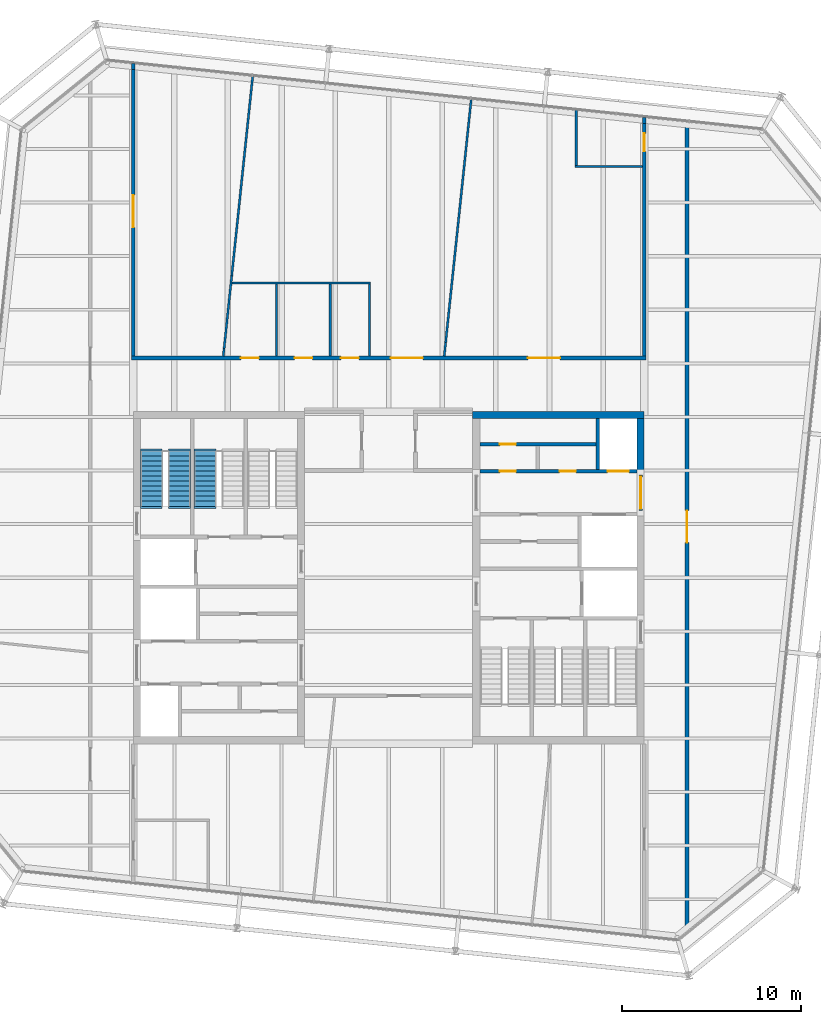
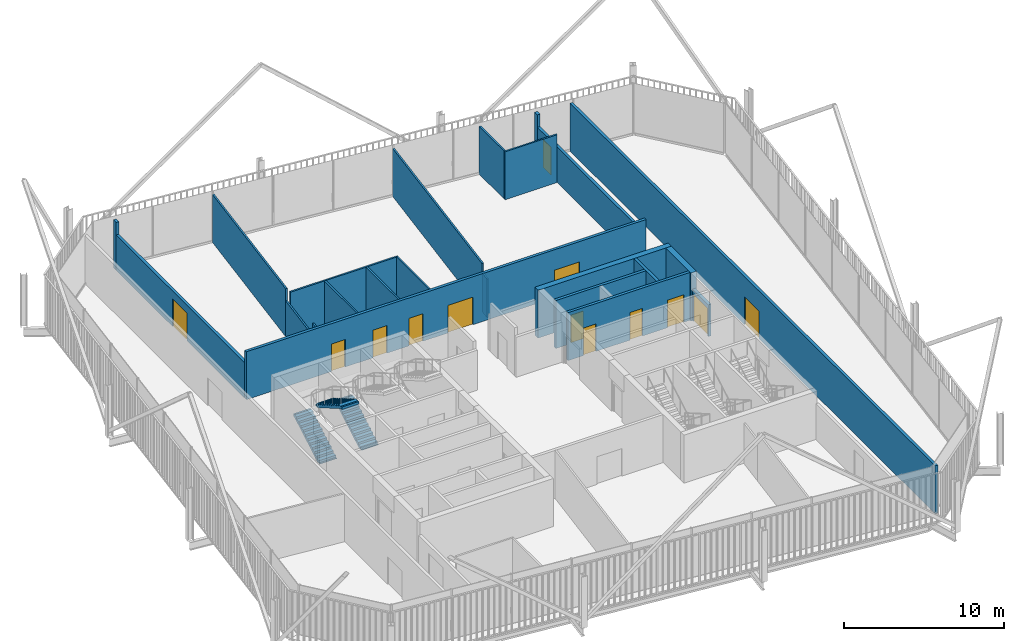
# One storey, part 19 of 21: 23 walls, 13 doors, 3 stair flights, 13 openings, 2 elements without a shape of their own.
"""IFC4 building model written with IfcOpenShell, lengths in metres."""

from ifc_helpers import new_model, si_unit, direction, frame, frame_2d, origin, place, context, subcontext, project, spatial, polyline, rectangle, outline, extrude, material, layer, layer_set, type_object, element, fill, aggregate, save


model = new_model("IFC4")

# Units and contexts
model_context = context("Model", 3, precision=1e-05, world=origin(), true_north=direction((0.0, 1.0)))
body_context = subcontext(model_context, "Body", "Model", "MODEL_VIEW")
ifc_project = project(units=[si_unit("LENGTHUNIT", "METRE"), si_unit("AREAUNIT", "SQUARE_METRE"), si_unit("VOLUMEUNIT", "CUBIC_METRE"), si_unit("PLANEANGLEUNIT", "RADIAN"), si_unit("MASSUNIT", "GRAM", prefix="KILO")], contexts=[model_context])

# Site, building, storey
site_placement = place(None, origin())
site = spatial("IfcSite", under=ifc_project, at=site_placement, CompositionType="ELEMENT")
building_placement = place(site_placement, origin())
building = spatial("IfcBuilding", under=site, at=building_placement, Name="Millrace Tower", CompositionType="ELEMENT")
storey_placement = place(building_placement, frame((0.0, 0.0, 307.199951171875)))
storey = spatial("IfcBuildingStorey", under=building, at=storey_placement, Name="L71", CompositionType="ELEMENT", Elevation=307.199951171875)

# Walls
ifc_material_1 = material(Name="Concrete C60", Category="concrete")
ifc_layer_1 = layer(ifc_material_1, 0.39990234375)
ifc_layer_set_1 = layer_set([ifc_layer_1], Name="Concrete C60")
wall_type_1 = type_object("IfcWallType", Name="Core wall 400 Concrete C60", PredefinedType="SHEAR", material=ifc_layer_set_1)
wall_1_placement = place(storey_placement, frame((14.300048828125, 9.10009765625, 0.0), z_axis=(0.0, 0.0, 1.0), x_axis=(-1.0, 0.0, 0.0)))
element("IfcWall", 1, at=wall_1_placement, inside=storey, type_object=wall_type_1, Name="Core wall E L71", PredefinedType="SHEAR", context=body_context, shape_type="SweptSolid", body=[
    extrude(rectangle(XDim=9.60009765625, YDim=0.39990234375, at=frame_2d((4.800048828125, 0.0))), origin(), (0.0, 0.0, 1.0), 3.650146484375),
])
wall_2_placement = place(storey_placement, frame((14.10009765625, 8.89990234375, 0.0), z_axis=(0.0, 0.0, 1.0), x_axis=(0.0, -1.0, 0.0)))
element("IfcWall", 2, at=wall_2_placement, inside=storey, type_object=wall_type_1, Name="Core wall E L71", PredefinedType="SHEAR", context=body_context, shape_type="SweptSolid", body=[
    extrude(rectangle(XDim=3.14990234375, YDim=0.39990234375, at=frame_2d((1.574951171875, 0.0))), origin(), (0.0, 0.0, 1.0), 3.650146484375),
])

# Wall, openings, doors
ifc_material_2 = material(Name="Masonry partition, fire-rated", Category="masonry")
ifc_layer_2 = layer(ifc_material_2, 0.199951171875)
ifc_layer_set_2 = layer_set([ifc_layer_2], Name="Masonry partition, fire-rated")
wall_type_2 = type_object("IfcWallType", Name="Corridor wall 200", PredefinedType="PARTITIONING", material=ifc_layer_set_2)
wall_3_placement = place(storey_placement, frame((-14.39990234375, 12.300048828125, 0.0), z_axis=(0.0, 0.0, 1.0), x_axis=(1.0, 0.0, 0.0)))
wall_3 = element("IfcWall", 3, at=wall_3_placement, inside=storey, type_object=wall_type_2, Name="Corridor wall L71", PredefinedType="PARTITIONING", context=body_context, shape_type="SweptSolid", body=[
    extrude(rectangle(XDim=28.7998046875, YDim=0.199951171875, at=frame_2d((14.39990234375, 0.0))), origin(), (0.0, 0.0, 1.0), 3.650146484375),
])
opening_1_placement = place(wall_3_placement, frame((14.512939453125, 0.0, 0.0)))
opening_1 = element("IfcOpeningElement", 4, at=opening_1_placement, cuts=wall_3, Name="Opening 71-P006", PredefinedType="OPENING", context=body_context, shape_type="SweptSolid", body=[
    extrude(rectangle(XDim=1.800048828125, YDim=2.10009765625, at=frame_2d((0.89990234375, 1.050048828125))), frame((0.0, 0.10986328125, 0.0), z_axis=(0.0, -1.0, 0.0), x_axis=(1.0, 0.0, 0.0)), (0.0, 0.0, 1.0), 0.219970703125),
])
opening_2_placement = place(wall_3_placement, frame((22.198486328125, 0.0, 0.0)))
opening_2 = element("IfcOpeningElement", 5, at=opening_2_placement, cuts=wall_3, Name="Opening 71-P007", PredefinedType="OPENING", context=body_context, shape_type="SweptSolid", body=[
    extrude(rectangle(XDim=1.800048828125, YDim=2.10009765625, at=frame_2d((0.89990234375, 1.050048828125))), frame((0.0, 0.10986328125, 0.0), z_axis=(0.0, -1.0, 0.0), x_axis=(1.0, 0.0, 0.0)), (0.0, 0.0, 1.0), 0.219970703125),
])
opening_3_placement = place(wall_3_placement, frame((6.12890625, 0.0, 0.0)))
opening_3 = element("IfcOpeningElement", 6, at=opening_3_placement, cuts=wall_3, Name="Opening 71-P014", PredefinedType="OPENING", context=body_context, shape_type="SweptSolid", body=[
    extrude(rectangle(XDim=1.0, YDim=2.10009765625, at=frame_2d((0.5, 1.050048828125))), frame((0.0, 0.10986328125, 0.0), z_axis=(0.0, -1.0, 0.0), x_axis=(1.0, 0.0, 0.0)), (0.0, 0.0, 1.0), 0.219970703125),
])
opening_4_placement = place(wall_3_placement, frame((9.12890625, 0.0, 0.0)))
opening_4 = element("IfcOpeningElement", 7, at=opening_4_placement, cuts=wall_3, Name="Opening 71-P015", PredefinedType="OPENING", context=body_context, shape_type="SweptSolid", body=[
    extrude(rectangle(XDim=1.0, YDim=2.10009765625, at=frame_2d((0.5, 1.050048828125))), frame((0.0, 0.10986328125, 0.0), z_axis=(0.0, -1.0, 0.0), x_axis=(1.0, 0.0, 0.0)), (0.0, 0.0, 1.0), 0.219970703125),
])
opening_5_placement = place(wall_3_placement, frame((11.72900390625, 0.0, 0.0)))
opening_5 = element("IfcOpeningElement", 8, at=opening_5_placement, cuts=wall_3, Name="Opening 71-P016", PredefinedType="OPENING", context=body_context, shape_type="SweptSolid", body=[
    extrude(rectangle(XDim=1.0, YDim=2.10009765625, at=frame_2d((0.5, 1.050048828125))), frame((0.0, 0.10986328125, 0.0), z_axis=(0.0, -1.0, 0.0), x_axis=(1.0, 0.0, 0.0)), (0.0, 0.0, 1.0), 0.219970703125),
])
ifc_material_3 = material(Name="Steel door set, fire-rated", Category="steel")
door_type_1 = type_object("IfcDoorType", Name="Corridor door 1000 x 2100", OperationType="SINGLE_SWING_LEFT", PredefinedType="DOOR", material=ifc_material_3)
door_1_placement = place(opening_3_placement, origin())
door_1 = element("IfcDoor", 9, at=door_1_placement, inside=storey, type_object=door_type_1, Name="Door 71-P014", OperationType="SINGLE_SWING_LEFT", OverallHeight=2.10009765625, OverallWidth=1.0, PredefinedType="DOOR", context=body_context, shape_type="SweptSolid", body=[
    extrude(rectangle(XDim=1.0, YDim=2.10009765625, at=frame_2d((0.5, 1.050048828125))), frame((0.0, 0.02490234375, 0.0), z_axis=(0.0, -1.0, 0.0), x_axis=(1.0, 0.0, 0.0)), (0.0, 0.0, 1.0), 0.050048828125),
])
fill(opening_3, door_1)
door_2_placement = place(opening_4_placement, origin())
door_2 = element("IfcDoor", 10, at=door_2_placement, inside=storey, type_object=door_type_1, Name="Door 71-P015", OperationType="SINGLE_SWING_LEFT", OverallHeight=2.10009765625, OverallWidth=1.0, PredefinedType="DOOR", context=body_context, shape_type="SweptSolid", body=[
    extrude(rectangle(XDim=1.0, YDim=2.10009765625, at=frame_2d((0.5, 1.050048828125))), frame((0.0, 0.02490234375, 0.0), z_axis=(0.0, -1.0, 0.0), x_axis=(1.0, 0.0, 0.0)), (0.0, 0.0, 1.0), 0.050048828125),
])
fill(opening_4, door_2)
door_3_placement = place(opening_5_placement, origin())
door_3 = element("IfcDoor", 11, at=door_3_placement, inside=storey, type_object=door_type_1, Name="Door 71-P016", OperationType="SINGLE_SWING_LEFT", OverallHeight=2.10009765625, OverallWidth=1.0, PredefinedType="DOOR", context=body_context, shape_type="SweptSolid", body=[
    extrude(rectangle(XDim=1.0, YDim=2.10009765625, at=frame_2d((0.5, 1.050048828125))), frame((0.0, 0.02490234375, 0.0), z_axis=(0.0, -1.0, 0.0), x_axis=(1.0, 0.0, 0.0)), (0.0, 0.0, 1.0), 0.050048828125),
])
fill(opening_5, door_3)
ifc_material_4 = material(Name="Steel door set, fire-rated", Category="steel")
door_type_2 = type_object("IfcDoorType", Name="Corridor door 1800 x 2100", OperationType="DOUBLE_DOOR_SINGLE_SWING", PredefinedType="DOOR", material=ifc_material_4)
door_4_placement = place(opening_1_placement, frame((1.800048828125, 0.0, 0.0), z_axis=(0.0, 0.0, 1.0), x_axis=(-1.0, 0.0, 0.0)))
door_4 = element("IfcDoor", 12, at=door_4_placement, inside=storey, type_object=door_type_2, Name="Door 71-P006", OperationType="DOUBLE_DOOR_SINGLE_SWING", OverallHeight=2.10009765625, OverallWidth=1.800048828125, PredefinedType="DOOR", context=body_context, shape_type="SweptSolid", body=[
    extrude(rectangle(XDim=1.800048828125, YDim=2.10009765625, at=frame_2d((0.89990234375, 1.050048828125))), frame((0.0, 0.02490234375, 0.0), z_axis=(0.0, -1.0, 0.0), x_axis=(1.0, 0.0, 0.0)), (0.0, 0.0, 1.0), 0.050048828125),
])
fill(opening_1, door_4)
door_5_placement = place(opening_2_placement, origin())
door_5 = element("IfcDoor", 13, at=door_5_placement, inside=storey, type_object=door_type_2, Name="Door 71-P007", OperationType="DOUBLE_DOOR_SINGLE_SWING", OverallHeight=2.10009765625, OverallWidth=1.800048828125, PredefinedType="DOOR", context=body_context, shape_type="SweptSolid", body=[
    extrude(rectangle(XDim=1.800048828125, YDim=2.10009765625, at=frame_2d((0.89990234375, 1.050048828125))), frame((0.0, 0.02490234375, 0.0), z_axis=(0.0, -1.0, 0.0), x_axis=(1.0, 0.0, 0.0)), (0.0, 0.0, 1.0), 0.050048828125),
])
fill(opening_2, door_5)

# Wall, opening, door
wall_4_placement = place(storey_placement, frame((16.699951171875, -20.01416015625, 0.0), z_axis=(0.0, 0.0, 1.0), x_axis=(0.0, 1.0, 0.0)))
wall_4 = element("IfcWall", 14, at=wall_4_placement, inside=storey, type_object=wall_type_2, Name="Corridor wall L71", PredefinedType="PARTITIONING", context=body_context, shape_type="SweptSolid", body=[
    extrude(rectangle(XDim=45.535400390625, YDim=0.199951171875, at=frame_2d((22.767578125, 0.0))), origin(), (0.0, 0.0, 1.0), 3.650146484375),
])
opening_6_placement = place(wall_4_placement, frame((21.974609375, 0.0, 0.0)))
opening_6 = element("IfcOpeningElement", 15, at=opening_6_placement, cuts=wall_4, Name="Opening 71-P009", PredefinedType="OPENING", context=body_context, shape_type="SweptSolid", body=[
    extrude(rectangle(XDim=1.800048828125, YDim=2.10009765625, at=frame_2d((0.89990234375, 1.050048828125))), frame((0.0, 0.10986328125, 0.0), z_axis=(0.0, -1.0, 0.0), x_axis=(1.0, 0.0, 0.0)), (0.0, 0.0, 1.0), 0.219970703125),
])
door_6_placement = place(opening_6_placement, origin())
door_6 = element("IfcDoor", 16, at=door_6_placement, inside=storey, type_object=door_type_2, Name="Door 71-P009", OperationType="DOUBLE_DOOR_SINGLE_SWING", OverallHeight=2.10009765625, OverallWidth=1.800048828125, PredefinedType="DOOR", context=body_context, shape_type="SweptSolid", body=[
    extrude(rectangle(XDim=1.800048828125, YDim=2.10009765625, at=frame_2d((0.89990234375, 1.050048828125))), frame((0.0, 0.02490234375, 0.0), z_axis=(0.0, -1.0, 0.0), x_axis=(1.0, 0.0, 0.0)), (0.0, 0.0, 1.0), 0.050048828125),
])
fill(opening_6, door_6)

wall_5_placement = place(storey_placement, frame((14.300048828125, 12.39990234375, 0.0), z_axis=(0.0, 0.0, 1.0), x_axis=(0.0, 1.0, 0.0)))
wall_5 = element("IfcWall", 17, at=wall_5_placement, inside=storey, type_object=wall_type_2, Name="Corridor wall L71", PredefinedType="PARTITIONING", context=body_context, shape_type="SweptSolid", body=[
    extrude(rectangle(XDim=13.034423828125, YDim=0.199951171875, at=frame_2d((6.51708984375, 0.0))), origin(), (0.0, 0.0, 1.0), 2.70263671875),
])
opening_7_placement = place(wall_5_placement, frame((11.472900390625, 0.0, 0.0)))
opening_7 = element("IfcOpeningElement", 18, at=opening_7_placement, cuts=wall_5, Name="Opening 71-P008", PredefinedType="OPENING", context=body_context, shape_type="SweptSolid", body=[
    extrude(rectangle(XDim=1.0, YDim=2.10009765625, at=frame_2d((0.5, 1.050048828125))), frame((0.0, 0.10986328125, 0.0), z_axis=(0.0, -1.0, 0.0), x_axis=(1.0, 0.0, 0.0)), (0.0, 0.0, 1.0), 0.219970703125),
])
door_7_placement = place(opening_7_placement, origin())
door_7 = element("IfcDoor", 19, at=door_7_placement, inside=storey, type_object=door_type_1, Name="Door 71-P008", OperationType="SINGLE_SWING_RIGHT", OverallHeight=2.10009765625, OverallWidth=1.0, PredefinedType="DOOR", context=body_context, shape_type="SweptSolid", body=[
    extrude(rectangle(XDim=1.0, YDim=2.10009765625, at=frame_2d((0.5, 1.050048828125))), frame((0.0, 0.02490234375, 0.0), z_axis=(0.0, -1.0, 0.0), x_axis=(1.0, 0.0, 0.0)), (0.0, 0.0, 1.0), 0.050048828125),
])
fill(opening_7, door_7)

# Wall
wall_6_placement = place(storey_placement, frame((14.300048828125, 25.434326171875, 0.0), z_axis=(0.0, 0.0, 1.0), x_axis=(0.0, 1.0, 0.0)))
element("IfcWall", 20, at=wall_6_placement, inside=storey, type_object=wall_type_2, Name="Corridor wall L71", PredefinedType="PARTITIONING", context=body_context, shape_type="SweptSolid", body=[
    extrude(rectangle(XDim=0.339111328125, YDim=0.199951171875, at=frame_2d((0.16943359375, 0.0))), origin(), (0.0, 0.0, 1.0), 3.650146484375),
])

# Wall, opening, door
wall_7_placement = place(storey_placement, frame((-14.300048828125, 12.39990234375, 0.0), z_axis=(0.0, 0.0, 1.0), x_axis=(0.0, 1.0, 0.0)))
wall_7 = element("IfcWall", 21, at=wall_7_placement, inside=storey, type_object=wall_type_2, Name="Corridor wall L71", PredefinedType="PARTITIONING", context=body_context, shape_type="SweptSolid", body=[
    extrude(rectangle(XDim=16.040283203125, YDim=0.199951171875, at=frame_2d((8.02001953125, 0.0))), origin(), (0.0, 0.0, 1.0), 2.70263671875),
])
opening_8_placement = place(wall_7_placement, frame((7.214599609375, 0.0, 0.0)))
opening_8 = element("IfcOpeningElement", 22, at=opening_8_placement, cuts=wall_7, Name="Opening 71-P005", PredefinedType="OPENING", context=body_context, shape_type="SweptSolid", body=[
    extrude(rectangle(XDim=1.800048828125, YDim=2.10009765625, at=frame_2d((0.89990234375, 1.050048828125))), frame((0.0, 0.10986328125, 0.0), z_axis=(0.0, -1.0, 0.0), x_axis=(1.0, 0.0, 0.0)), (0.0, 0.0, 1.0), 0.219970703125),
])
door_8_placement = place(opening_8_placement, frame((1.800048828125, 0.0, 0.0), z_axis=(0.0, 0.0, 1.0), x_axis=(-1.0, 0.0, 0.0)))
door_8 = element("IfcDoor", 23, at=door_8_placement, inside=storey, type_object=door_type_2, Name="Door 71-P005", OperationType="DOUBLE_DOOR_SINGLE_SWING", OverallHeight=2.10009765625, OverallWidth=1.800048828125, PredefinedType="DOOR", context=body_context, shape_type="SweptSolid", body=[
    extrude(rectangle(XDim=1.800048828125, YDim=2.10009765625, at=frame_2d((0.89990234375, 1.050048828125))), frame((0.0, 0.02490234375, 0.0), z_axis=(0.0, -1.0, 0.0), x_axis=(1.0, 0.0, 0.0)), (0.0, 0.0, 1.0), 0.050048828125),
])
fill(opening_8, door_8)

# Wall
wall_8_placement = place(storey_placement, frame((-14.300048828125, 28.440185546875, 0.0), z_axis=(0.0, 0.0, 1.0), x_axis=(0.0, 1.0, 0.0)))
element("IfcWall", 24, at=wall_8_placement, inside=storey, type_object=wall_type_2, Name="Corridor wall L71", PredefinedType="PARTITIONING", context=body_context, shape_type="SweptSolid", body=[
    extrude(rectangle(XDim=0.33935546875, YDim=0.199951171875, at=frame_2d((0.169677734375, 0.0))), origin(), (0.0, 0.0, 1.0), 3.650146484375),
])

# Wall, openings, doors
ifc_material_5 = material(Name="Masonry partition, fire-rated", Category="masonry")
ifc_layer_3 = layer(ifc_material_5, 0.199951171875)
ifc_layer_set_3 = layer_set([ifc_layer_3], Name="Masonry partition, fire-rated")
wall_type_3 = type_object("IfcWallType", Name="Lift shaft wall 200", PredefinedType="PARTITIONING", material=ifc_layer_set_3)
wall_9_placement = place(storey_placement, frame((13.89990234375, 5.949951171875, 0.0), z_axis=(0.0, 0.0, 1.0), x_axis=(-1.0, 0.0, 0.0)))
wall_9 = element("IfcWall", 25, at=wall_9_placement, inside=storey, type_object=wall_type_3, Name="Lift shaft wall E L71", PredefinedType="PARTITIONING", context=body_context, shape_type="SweptSolid", body=[
    extrude(rectangle(XDim=8.7998046875, YDim=0.199951171875, at=frame_2d((4.39990234375, 0.0))), origin(), (0.0, 0.0, 1.0), 3.650146484375),
])
opening_9_placement = place(wall_9_placement, frame((0.449951171875, 0.0, 0.0)))
opening_9 = element("IfcOpeningElement", 26, at=opening_9_placement, cuts=wall_9, Name="Opening 71-LD09", PredefinedType="OPENING", context=body_context, shape_type="SweptSolid", body=[
    extrude(rectangle(XDim=1.199951171875, YDim=2.10009765625, at=frame_2d((0.60009765625, 1.050048828125))), frame((0.0, 0.10986328125, 0.0), z_axis=(0.0, -1.0, 0.0), x_axis=(1.0, 0.0, 0.0)), (0.0, 0.0, 1.0), 0.219970703125),
])
opening_10_placement = place(wall_9_placement, frame((3.425048828125, 0.0, 0.0)))
opening_10 = element("IfcOpeningElement", 27, at=opening_10_placement, cuts=wall_9, Name="Opening 71-C016", PredefinedType="OPENING", context=body_context, shape_type="SweptSolid", body=[
    extrude(rectangle(XDim=0.89990234375, YDim=2.10009765625, at=frame_2d((0.449951171875, 1.050048828125))), frame((0.0, 0.10986328125, 0.0), z_axis=(0.0, -1.0, 0.0), x_axis=(1.0, 0.0, 0.0)), (0.0, 0.0, 1.0), 0.219970703125),
])
opening_11_placement = place(wall_9_placement, frame((6.77490234375, 0.0, 0.0)))
opening_11 = element("IfcOpeningElement", 28, at=opening_11_placement, cuts=wall_9, Name="Opening 71-C017", PredefinedType="OPENING", context=body_context, shape_type="SweptSolid", body=[
    extrude(rectangle(XDim=0.89990234375, YDim=2.10009765625, at=frame_2d((0.449951171875, 1.050048828125))), frame((0.0, 0.10986328125, 0.0), z_axis=(0.0, -1.0, 0.0), x_axis=(1.0, 0.0, 0.0)), (0.0, 0.0, 1.0), 0.219970703125),
])
ifc_material_6 = material(Name="Stainless steel, fire-rated", Category="steel")
door_type_3 = type_object("IfcDoorType", Name="Lift landing door 1200 x 2100", OperationType="DOUBLE_DOOR_SLIDING", PredefinedType="DOOR", material=ifc_material_6)
door_9_placement = place(opening_9_placement, origin())
door_9 = element("IfcDoor", 29, at=door_9_placement, inside=storey, type_object=door_type_3, Name="Lift landing door LF9 L71", OperationType="DOUBLE_DOOR_SLIDING", OverallHeight=2.10009765625, OverallWidth=1.199951171875, PredefinedType="DOOR", context=body_context, shape_type="SweptSolid", body=[
    extrude(rectangle(XDim=1.199951171875, YDim=2.10009765625, at=frame_2d((0.60009765625, 1.050048828125))), frame((0.0, 0.02490234375, 0.0), z_axis=(0.0, -1.0, 0.0), x_axis=(1.0, 0.0, 0.0)), (0.0, 0.0, 1.0), 0.050048828125),
])
fill(opening_9, door_9)
ifc_material_7 = material(Name="Steel door, fire-rated", Category="steel")
door_type_4 = type_object("IfcDoorType", Name="Service room door 900 x 2100", OperationType="SINGLE_SWING_LEFT", PredefinedType="DOOR", material=ifc_material_7)
door_10_placement = place(opening_10_placement, origin())
door_10 = element("IfcDoor", 30, at=door_10_placement, inside=storey, type_object=door_type_4, Name="Service room door 71-C016", OperationType="SINGLE_SWING_LEFT", OverallHeight=2.10009765625, OverallWidth=0.89990234375, PredefinedType="DOOR", context=body_context, shape_type="SweptSolid", body=[
    extrude(rectangle(XDim=0.89990234375, YDim=2.10009765625, at=frame_2d((0.449951171875, 1.050048828125))), frame((0.0, 0.02490234375, 0.0), z_axis=(0.0, -1.0, 0.0), x_axis=(1.0, 0.0, 0.0)), (0.0, 0.0, 1.0), 0.050048828125),
])
fill(opening_10, door_10)
door_11_placement = place(opening_11_placement, origin())
door_11 = element("IfcDoor", 31, at=door_11_placement, inside=storey, type_object=door_type_4, Name="Service room door 71-C017", OperationType="SINGLE_SWING_RIGHT", OverallHeight=2.10009765625, OverallWidth=0.89990234375, PredefinedType="DOOR", context=body_context, shape_type="SweptSolid", body=[
    extrude(rectangle(XDim=0.89990234375, YDim=2.10009765625, at=frame_2d((0.449951171875, 1.050048828125))), frame((0.0, 0.02490234375, 0.0), z_axis=(0.0, -1.0, 0.0), x_axis=(1.0, 0.0, 0.0)), (0.0, 0.0, 1.0), 0.050048828125),
])
fill(opening_11, door_11)

# Wall
wall_10_placement = place(storey_placement, frame((11.699951171875, 8.89990234375, 0.0), z_axis=(0.0, 0.0, 1.0), x_axis=(0.0, -1.0, 0.0)))
element("IfcWall", 32, at=wall_10_placement, inside=storey, type_object=wall_type_3, Name="Lift shaft wall E L71", PredefinedType="PARTITIONING", context=body_context, shape_type="SweptSolid", body=[
    extrude(rectangle(XDim=2.849853515625, YDim=0.199951171875, at=frame_2d((1.4248046875, 0.0))), origin(), (0.0, 0.0, 1.0), 3.650146484375),
])

# Wall, opening, door
ifc_material_8 = material(Name="Masonry partition, fire-rated", Category="masonry")
ifc_layer_4 = layer(ifc_material_8, 0.199951171875)
ifc_layer_set_4 = layer_set([ifc_layer_4], Name="Masonry partition, fire-rated")
wall_type_4 = type_object("IfcWallType", Name="Lobby wall 200", PredefinedType="PARTITIONING", material=ifc_layer_set_4)
wall_11_placement = place(storey_placement, frame((14.10009765625, 5.75, 0.0), z_axis=(0.0, 0.0, 1.0), x_axis=(0.0, -1.0, 0.0)))
wall_11 = element("IfcWall", 33, at=wall_11_placement, inside=storey, type_object=wall_type_4, Name="Lobby wall E L71", PredefinedType="PARTITIONING", context=body_context, shape_type="SweptSolid", body=[
    extrude(rectangle(XDim=2.0, YDim=0.199951171875, at=frame_2d((1.0, 0.0))), origin(), (0.0, 0.0, 1.0), 2.400146484375),
])
opening_12_placement = place(wall_11_placement, frame((0.10009765625, 0.0, 0.0)))
opening_12 = element("IfcOpeningElement", 34, at=opening_12_placement, cuts=wall_11, Name="Opening 71-C012", PredefinedType="OPENING", context=body_context, shape_type="SweptSolid", body=[
    extrude(rectangle(XDim=1.800048828125, YDim=2.10009765625, at=frame_2d((0.89990234375, 1.050048828125))), frame((0.0, 0.10986328125, 0.0), z_axis=(0.0, -1.0, 0.0), x_axis=(1.0, 0.0, 0.0)), (0.0, 0.0, 1.0), 0.219970703125),
])
ifc_material_9 = material(Name="Steel door, fire-rated", Category="steel")
door_type_5 = type_object("IfcDoorType", Name="Lobby door 1800 x 2100", OperationType="DOUBLE_DOOR_SINGLE_SWING", PredefinedType="DOOR", material=ifc_material_9)
door_12_placement = place(opening_12_placement, origin())
door_12 = element("IfcDoor", 35, at=door_12_placement, inside=storey, type_object=door_type_5, Name="Lobby door 71-C012", OperationType="DOUBLE_DOOR_SINGLE_SWING", OverallHeight=2.10009765625, OverallWidth=1.800048828125, PredefinedType="DOOR", context=body_context, shape_type="SweptSolid", body=[
    extrude(rectangle(XDim=1.800048828125, YDim=2.10009765625, at=frame_2d((0.89990234375, 1.050048828125))), frame((0.0, 0.02490234375, 0.0), z_axis=(0.0, -1.0, 0.0), x_axis=(1.0, 0.0, 0.0)), (0.0, 0.0, 1.0), 0.050048828125),
])
fill(opening_12, door_12)

# Walls
ifc_material_10 = material(Name="Gypsum board partition")
ifc_layer_5 = layer(ifc_material_10, 0.1201171875)
ifc_layer_set_5 = layer_set([ifc_layer_5], Name="Gypsum board partition")
wall_type_5 = type_object("IfcWallType", Name="Partition wall 120", PredefinedType="PARTITIONING", material=ifc_layer_set_5)
wall_12_placement = place(storey_placement, frame((-8.76904296875, 16.5, 0.0), z_axis=(0.0, 0.0, 1.0), x_axis=(1.0, 0.0, 0.0)))
element("IfcWall", 36, at=wall_12_placement, inside=storey, type_object=wall_type_5, Name="Partition wall L71", PredefinedType="PARTITIONING", context=body_context, shape_type="SweptSolid", body=[
    extrude(rectangle(XDim=7.758056640625, YDim=0.1201171875, at=frame_2d((3.87890625, 0.0))), origin(), (0.0, 0.0, 1.0), 3.650146484375),
])
wall_13_placement = place(storey_placement, frame((10.43994140625, 23.02294921875, 0.0), z_axis=(0.0, 0.0, 1.0), x_axis=(1.0, 0.0, 0.0)))
element("IfcWall", 37, at=wall_13_placement, inside=storey, type_object=wall_type_5, Name="Partition wall L71", PredefinedType="PARTITIONING", context=body_context, shape_type="SweptSolid", body=[
    extrude(rectangle(XDim=3.760009765625, YDim=0.1201171875, at=frame_2d((1.8798828125, 0.0))), origin(), (0.0, 0.0, 1.0), 3.650146484375),
])
wall_14_placement = place(storey_placement, frame((3.107421875, 12.3994140625, 0.0), z_axis=(0.0, 0.0, 1.0), x_axis=(0.104651768543, 0.994508927733, 0.0)))
element("IfcWall", 38, at=wall_14_placement, inside=storey, type_object=wall_type_5, Name="Partition wall L71", PredefinedType="PARTITIONING", context=body_context, shape_type="SweptSolid", body=[
    extrude(rectangle(XDim=0.769775390625, YDim=0.1201171875, at=frame_2d((0.384765625, 0.0))), origin(), (0.0, 0.0, 1.0), 2.95654296875),
])
wall_15_placement = place(storey_placement, frame((3.18798828125, 13.1650390625, 0.0), z_axis=(0.0, 0.0, 1.0), x_axis=(0.104546573109, 0.994519991781, 0.0)))
element("IfcWall", 39, at=wall_15_placement, inside=storey, type_object=wall_type_5, Name="Partition wall L71", PredefinedType="PARTITIONING", context=body_context, shape_type="SweptSolid", body=[
    extrude(rectangle(XDim=13.700927734375, YDim=0.1201171875, at=frame_2d((6.8505859375, 0.0))), origin(), (0.0, 0.0, 1.0), 3.650146484375),
])
wall_16_placement = place(storey_placement, frame((-9.259765625, 12.3994140625, 0.0), z_axis=(0.0, 0.0, 1.0), x_axis=(0.104341736963, 0.994541503371, 0.0)))
element("IfcWall", 40, at=wall_16_placement, inside=storey, type_object=wall_type_5, Name="Partition wall L71", PredefinedType="PARTITIONING", context=body_context, shape_type="SweptSolid", body=[
    extrude(rectangle(XDim=0.444580078125, YDim=0.1201171875, at=frame_2d((0.22216796875, 0.0))), origin(), (0.0, 0.0, 1.0), 3.650146484375),
])
wall_17_placement = place(storey_placement, frame((-9.21337890625, 12.841552734375, 0.0), z_axis=(0.0, 0.0, 1.0), x_axis=(0.104498067841, 0.994525089587, 0.0)))
element("IfcWall", 41, at=wall_17_placement, inside=storey, type_object=wall_type_5, Name="Partition wall L71", PredefinedType="PARTITIONING", context=body_context, shape_type="SweptSolid", body=[
    extrude(rectangle(XDim=4.083984375, YDim=0.1201171875, at=frame_2d((2.0419921875, 0.0))), origin(), (0.0, 0.0, 1.0), 2.722900390625),
])
wall_18_placement = place(storey_placement, frame((-8.78662109375, 16.903076171875, 0.0), z_axis=(0.0, 0.0, 1.0), x_axis=(0.104478910741, 0.994527102301, 0.0)))
element("IfcWall", 42, at=wall_18_placement, inside=storey, type_object=wall_type_5, Name="Partition wall L71", PredefinedType="PARTITIONING", context=body_context, shape_type="SweptSolid", body=[
    extrude(rectangle(XDim=11.235107421875, YDim=0.1201171875, at=frame_2d((5.61767578125, 0.0))), origin(), (0.0, 0.0, 1.0), 3.650146484375),
])
wall_19_placement = place(storey_placement, frame((10.5, 23.0830078125, 0.0), z_axis=(0.0, 0.0, 1.0), x_axis=(0.0, 1.0, 0.0)))
element("IfcWall", 43, at=wall_19_placement, inside=storey, type_object=wall_type_5, Name="Partition wall L71", PredefinedType="PARTITIONING", context=body_context, shape_type="SweptSolid", body=[
    extrude(rectangle(XDim=3.08984375, YDim=0.1201171875, at=frame_2d((1.544921875, 0.0))), origin(), (0.0, 0.0, 1.0), 3.650146484375),
])
for number, where, z_axis, x_axis, name in (
    (44, (-1.071044921875, 12.39990234375, 0.0), (0.0, 0.0, 1.0), (0.0, 1.0, 0.0), "Partition wall L71"),
    (45, (-3.27099609375, 12.39990234375, 0.0), (0.0, 0.0, 1.0), (0.0, 1.0, 0.0), "Partition wall L71"),
    (46, (-6.27099609375, 12.39990234375, 0.0), (0.0, 0.0, 1.0), (0.0, 1.0, 0.0), "Partition wall L71"),
):
    element("IfcWall", number, at=place(storey_placement, frame(where, z_axis=z_axis, x_axis=x_axis)), inside=storey, type_object=wall_type_5, Name=name, PredefinedType="PARTITIONING", context=body_context, shape_type="SweptSolid", body=[
        extrude(rectangle(XDim=4.0400390625, YDim=0.1201171875, at=frame_2d((2.02001953125, 0.0))), origin(), (0.0, 0.0, 1.0), 3.650146484375),
    ])

# Wall, opening, door
ifc_material_11 = material(Name="Masonry partition, fire-rated", Category="masonry")
ifc_layer_6 = layer(ifc_material_11, 0.199951171875)
ifc_layer_set_6 = layer_set([ifc_layer_6], Name="Masonry partition, fire-rated")
wall_type_6 = type_object("IfcWallType", Name="Room partition 200", PredefinedType="PARTITIONING", material=ifc_layer_set_6)
wall_20_placement = place(storey_placement, frame((11.60009765625, 7.47509765625, 0.0), z_axis=(0.0, 0.0, 1.0), x_axis=(-1.0, 0.0, 0.0)))
wall_20 = element("IfcWall", 47, at=wall_20_placement, inside=storey, type_object=wall_type_6, Name="Room partition E L71", PredefinedType="PARTITIONING", context=body_context, shape_type="SweptSolid", body=[
    extrude(rectangle(XDim=6.5, YDim=0.199951171875, at=frame_2d((3.25, 0.0))), origin(), (0.0, 0.0, 1.0), 3.650146484375),
])
opening_13_placement = place(wall_20_placement, frame((4.47509765625, 0.0, 0.0)))
opening_13 = element("IfcOpeningElement", 48, at=opening_13_placement, cuts=wall_20, Name="Opening 71-C018", PredefinedType="OPENING", context=body_context, shape_type="SweptSolid", body=[
    extrude(rectangle(XDim=0.89990234375, YDim=2.10009765625, at=frame_2d((0.449951171875, 1.050048828125))), frame((0.0, 0.10986328125, 0.0), z_axis=(0.0, -1.0, 0.0), x_axis=(1.0, 0.0, 0.0)), (0.0, 0.0, 1.0), 0.219970703125),
])
door_13_placement = place(opening_13_placement, frame((0.89990234375, 0.0, 0.0), z_axis=(0.0, 0.0, 1.0), x_axis=(-1.0, 0.0, 0.0)))
door_13 = element("IfcDoor", 49, at=door_13_placement, inside=storey, type_object=door_type_4, Name="Service room door 71-C018", OperationType="SINGLE_SWING_LEFT", OverallHeight=2.10009765625, OverallWidth=0.89990234375, PredefinedType="DOOR", context=body_context, shape_type="SweptSolid", body=[
    extrude(rectangle(XDim=0.89990234375, YDim=2.10009765625, at=frame_2d((0.449951171875, 1.050048828125))), frame((0.0, 0.02490234375, 0.0), z_axis=(0.0, -1.0, 0.0), x_axis=(1.0, 0.0, 0.0)), (0.0, 0.0, 1.0), 0.050048828125),
])
fill(opening_13, door_13)

# Stair, stair flights
ifc_material_12 = material(Name="Concrete C35", Category="concrete")
stair_type = type_object("IfcStairType", Name="Exit stair", PredefinedType="HALF_TURN_STAIR", material=ifc_material_12)
placement = place(storey_placement, origin())
stair_1 = element("IfcStair", 50, at=placement, inside=storey, type_object=stair_type, Name="Stair 1 W L71", PredefinedType="HALF_TURN_STAIR")
ifc_material_13 = material(Name="Concrete C35", Category="concrete")
stair_flight_type = type_object("IfcStairFlightType", Name="Exit stair flight", PredefinedType="STRAIGHT", material=ifc_material_13)
stair_flight_1_placement = place(storey_placement, frame((-13.2900390625, 4.0, 0.0), z_axis=(0.0, 0.0, 1.0), x_axis=(0.0, 1.0, 0.0)))
stair_flight_1 = element("IfcStairFlight", 51, at=stair_flight_1_placement, type_object=stair_flight_type, Name="ST12 flight 1", NumberOfRisers=12, NumberOfTreads=11, PredefinedType="STRAIGHT", RiserHeight=0.1625, TreadLength=0.28, context=body_context, shape_type="SweptSolid", body=[
    extrude(outline(polyline([(-0.1201171875, -0.0400390625), (-0.1201171875, 0.0), (0.0, 0.0), (0.0, 0.16259765625), (0.280029296875, 0.16259765625), (0.280029296875, 0.324951171875), (0.56005859375, 0.324951171875), (0.56005859375, 0.487548828125), (0.840087890625, 0.487548828125), (0.840087890625, 0.64990234375), (1.1201171875, 0.64990234375), (1.1201171875, 0.8125), (1.39990234375, 0.8125), (1.39990234375, 0.97509765625), (1.679931640625, 0.97509765625), (1.679931640625, 1.137451171875), (1.9599609375, 1.137451171875), (1.9599609375, 1.300048828125), (2.239990234375, 1.300048828125), (2.239990234375, 1.46240234375), (2.52001953125, 1.46240234375), (2.52001953125, 1.625), (2.800048828125, 1.625), (2.800048828125, 1.78759765625), (3.080078125, 1.78759765625), (3.080078125, 1.8076171875), (3.199951171875, 1.8076171875), (3.199951171875, 1.6142578125), (3.080078125, 1.6142578125), (0.298583984375, 0.0), (0.298583984375, -0.0400390625), (-0.1201171875, -0.0400390625)])), frame((0.0, 0.60986328125, 0.0), z_axis=(0.0, -1.0, 0.0), x_axis=(1.0, 0.0, 0.0)), (0.0, 0.0, 1.0), 1.219970703125),
])
stair_flight_2_placement = place(storey_placement, frame((-11.7099609375, 7.080078125, 1.949951171875), z_axis=(0.0, 0.0, 1.0), x_axis=(0.0, -1.0, 0.0)))
stair_flight_2 = element("IfcStairFlight", 52, at=stair_flight_2_placement, type_object=stair_flight_type, Name="ST12 flight 2", NumberOfRisers=12, NumberOfTreads=11, PredefinedType="STRAIGHT", RiserHeight=0.1625, TreadLength=0.28, context=body_context, shape_type="SweptSolid", body=[
    extrude(outline(polyline([(-0.1201171875, -0.0400390625), (-0.1201171875, 0.0), (0.0, 0.0), (0.0, 0.16259765625), (0.280029296875, 0.16259765625), (0.280029296875, 0.324951171875), (0.56005859375, 0.324951171875), (0.56005859375, 0.487548828125), (0.840087890625, 0.487548828125), (0.840087890625, 0.64990234375), (1.1201171875, 0.64990234375), (1.1201171875, 0.8125), (1.39990234375, 0.8125), (1.39990234375, 0.97509765625), (1.679931640625, 0.97509765625), (1.679931640625, 1.137451171875), (1.9599609375, 1.137451171875), (1.9599609375, 1.300048828125), (2.239990234375, 1.300048828125), (2.239990234375, 1.46240234375), (2.52001953125, 1.46240234375), (2.52001953125, 1.625), (2.800048828125, 1.625), (2.800048828125, 1.78759765625), (3.080078125, 1.78759765625), (3.080078125, 1.8076171875), (3.199951171875, 1.8076171875), (3.199951171875, 1.6142578125), (3.080078125, 1.6142578125), (0.298583984375, 0.0), (0.298583984375, -0.0400390625), (-0.1201171875, -0.0400390625)])), frame((0.0, 0.60986328125, 0.0), z_axis=(0.0, -1.0, 0.0), x_axis=(1.0, 0.0, 0.0)), (0.0, 0.0, 1.0), 1.219970703125),
])
aggregate(stair_1, [stair_flight_1, stair_flight_2])

# Stair, stair flight
stair_2 = element("IfcStair", 53, at=placement, inside=storey, type_object=stair_type, Name="Stair 2 W L71", PredefinedType="HALF_TURN_STAIR")
stair_flight_3_placement = place(storey_placement, frame((-10.2900390625, 4.0, 0.0), z_axis=(0.0, 0.0, 1.0), x_axis=(0.0, 1.0, 0.0)))
stair_flight_3 = element("IfcStairFlight", 54, at=stair_flight_3_placement, type_object=stair_flight_type, Name="ST12 flight 1", NumberOfRisers=12, NumberOfTreads=11, PredefinedType="STRAIGHT", RiserHeight=0.1625, TreadLength=0.28, context=body_context, shape_type="SweptSolid", body=[
    extrude(outline(polyline([(-0.1201171875, -0.0400390625), (-0.1201171875, 0.0), (0.0, 0.0), (0.0, 0.16259765625), (0.280029296875, 0.16259765625), (0.280029296875, 0.324951171875), (0.56005859375, 0.324951171875), (0.56005859375, 0.487548828125), (0.840087890625, 0.487548828125), (0.840087890625, 0.64990234375), (1.1201171875, 0.64990234375), (1.1201171875, 0.8125), (1.39990234375, 0.8125), (1.39990234375, 0.97509765625), (1.679931640625, 0.97509765625), (1.679931640625, 1.137451171875), (1.9599609375, 1.137451171875), (1.9599609375, 1.300048828125), (2.239990234375, 1.300048828125), (2.239990234375, 1.46240234375), (2.52001953125, 1.46240234375), (2.52001953125, 1.625), (2.800048828125, 1.625), (2.800048828125, 1.78759765625), (3.080078125, 1.78759765625), (3.080078125, 1.8076171875), (3.199951171875, 1.8076171875), (3.199951171875, 1.6142578125), (3.080078125, 1.6142578125), (0.298583984375, 0.0), (0.298583984375, -0.0400390625), (-0.1201171875, -0.0400390625)])), frame((0.0, 0.60986328125, 0.0), z_axis=(0.0, -1.0, 0.0), x_axis=(1.0, 0.0, 0.0)), (0.0, 0.0, 1.0), 1.219970703125),
])
aggregate(stair_2, [stair_flight_3])

save(model, "model.ifc")
